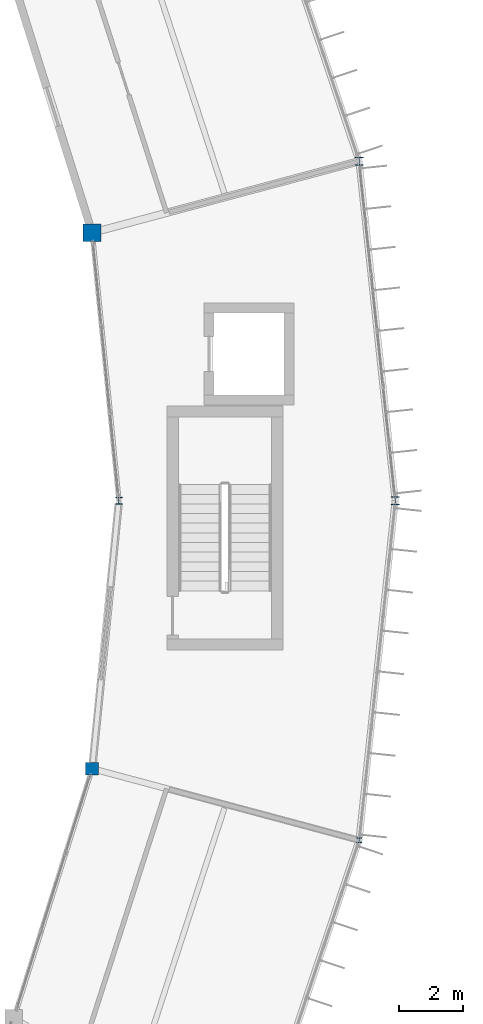
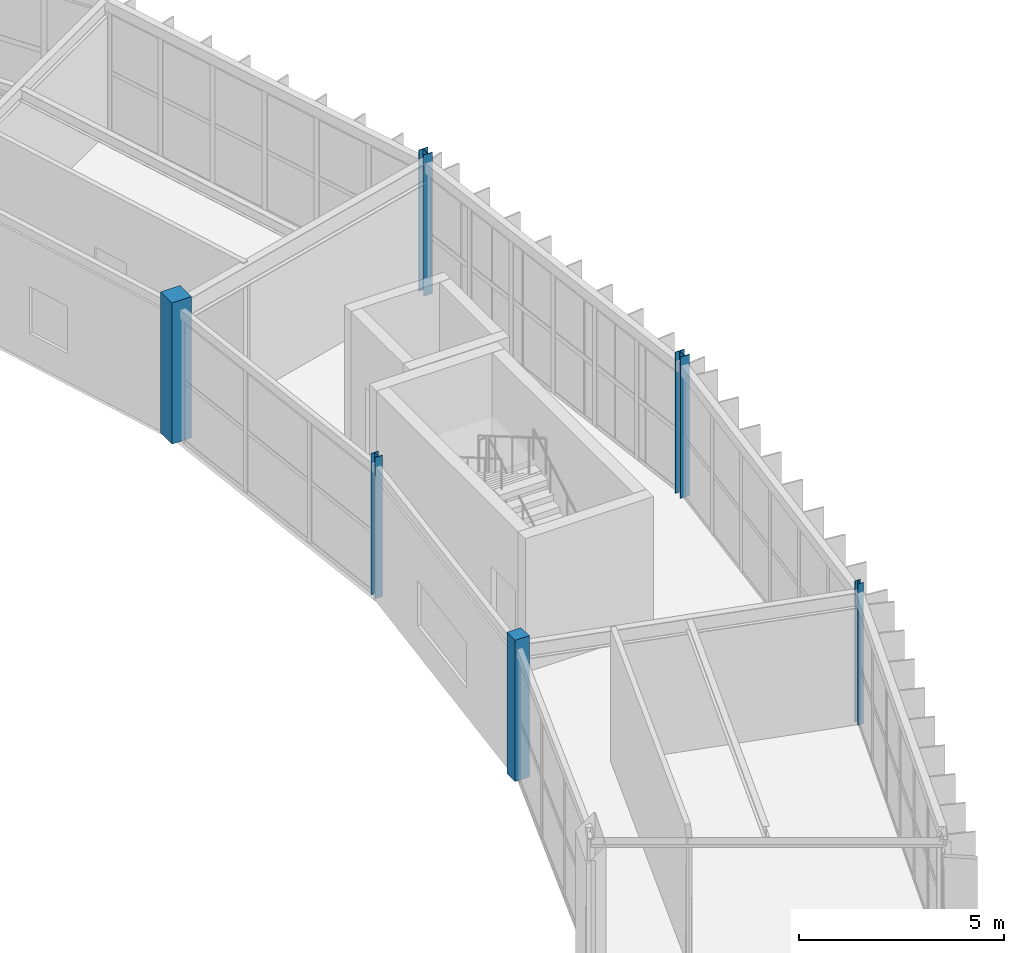
# One storey, part 9 of 134: 6 columns.
"""IFC4 building model written with IfcOpenShell, lengths in metres."""

from ifc_helpers import new_model, si_unit, direction, frame, origin, origin_2d, place, context, subcontext, project, spatial, rectangle, i_section, extrude, material, material_profile, profile_set, type_object, element, save


model = new_model("IFC4")

# Units and contexts
model_context = context("Model", 3, precision=1e-05, world=origin(), true_north=direction((0.0, 1.0)))
body_context = subcontext(model_context, "Body", "Model", "MODEL_VIEW")
ifc_project = project(units=[si_unit("LENGTHUNIT", "METRE"), si_unit("AREAUNIT", "SQUARE_METRE"), si_unit("VOLUMEUNIT", "CUBIC_METRE"), si_unit("PLANEANGLEUNIT", "RADIAN"), si_unit("MASSUNIT", "GRAM", prefix="KILO")], contexts=[model_context])

# Site, building, storey
site_placement = place(None, origin())
site = spatial("IfcSite", under=ifc_project, at=site_placement, CompositionType="ELEMENT")
building_placement = place(site_placement, origin())
building = spatial("IfcBuilding", under=site, at=building_placement, Name="Karori Crest Natural Sciences Institute", CompositionType="ELEMENT")
storey_placement = place(building_placement, frame((0.0, 0.0, 21.699951171875)))
storey = spatial("IfcBuildingStorey", under=building, at=storey_placement, Name="L05", CompositionType="ELEMENT", Elevation=21.699951171875)

# Columns
ifc_material_1 = material(Name="Structural steel AS/NZS 3679.1 Grade 350", Category="steel")
ifc_material_profile_1 = material_profile(ifc_material_1, i_section(OverallWidth=0.256103515625, OverallDepth=0.260009765625, WebThickness=0.010498046875, FlangeThickness=0.017333984375, FilletRadius=0.013916015625, at=origin_2d()), Name="250UC89.5")
ifc_profile_set_1 = profile_set([ifc_material_profile_1], Name="Structural steel AS/NZS 3679.1 Grade 350")
column_type_1 = type_object("IfcColumnType", Name="CT-06", PredefinedType="COLUMN", material=ifc_profile_set_1)
column_1_placement = place(storey_placement, frame((99.39990234375, 49.89990234375, 0.0), z_axis=(0.0, 0.0, 1.0), x_axis=(1.0, 0.0, 0.0)))
element("IfcColumn", 1, at=column_1_placement, inside=storey, type_object=column_type_1, Name="Column C-0013", PredefinedType="COLUMN", context=body_context, shape_type="SweptSolid", body=[
    extrude(i_section(OverallWidth=0.256103515625, OverallDepth=0.260009765625, WebThickness=0.010498046875, FlangeThickness=0.017333984375, FilletRadius=0.013916015625, at=origin_2d()), origin(), (0.0, 0.0, 1.0), 4.199951171875),
])
ifc_material_profile_2 = material_profile(ifc_material_1, i_section(OverallWidth=0.25390625, OverallDepth=0.25390625, WebThickness=0.008544921875, FlangeThickness=0.01416015625, FilletRadius=0.013916015625, at=origin_2d()), Name="250UC72.9")
ifc_profile_set_2 = profile_set([ifc_material_profile_2], Name="Structural steel AS/NZS 3679.1 Grade 350")
column_type_2 = type_object("IfcColumnType", Name="CT-07", PredefinedType="COLUMN", material=ifc_profile_set_2)
column_2_placement = place(storey_placement, frame((98.275634765625, 60.459716796875, 0.0), z_axis=(0.0, 0.0, 1.0), x_axis=(1.0, 0.0, 0.0)))
element("IfcColumn", 2, at=column_2_placement, inside=storey, type_object=column_type_2, Name="Column C-0031", PredefinedType="COLUMN", context=body_context, shape_type="SweptSolid", body=[
    extrude(i_section(OverallWidth=0.25390625, OverallDepth=0.25390625, WebThickness=0.008544921875, FlangeThickness=0.01416015625, FilletRadius=0.013916015625, at=origin_2d()), origin(), (0.0, 0.0, 1.0), 4.199951171875),
])
ifc_material_profile_3 = material_profile(ifc_material_1, i_section(OverallWidth=0.205078125, OverallDepth=0.2099609375, WebThickness=0.00927734375, FlangeThickness=0.01416015625, FilletRadius=0.010986328125, at=origin_2d()), Name="200UC59.5")
ifc_profile_set_3 = profile_set([ifc_material_profile_3], Name="Structural steel AS/NZS 3679.1 Grade 350")
column_type_3 = type_object("IfcColumnType", Name="CT-08", PredefinedType="COLUMN", material=ifc_profile_set_3)
column_3_placement = place(storey_placement, frame((90.800048828125, 49.89990234375, 0.0), z_axis=(0.0, 0.0, 1.0), x_axis=(1.0, 0.0, 0.0)))
element("IfcColumn", 3, at=column_3_placement, inside=storey, type_object=column_type_3, Name="Column C-0014", PredefinedType="COLUMN", context=body_context, shape_type="SweptSolid", body=[
    extrude(i_section(OverallWidth=0.205078125, OverallDepth=0.2099609375, WebThickness=0.00927734375, FlangeThickness=0.01416015625, FilletRadius=0.010986328125, at=origin_2d()), origin(), (0.0, 0.0, 1.0), 4.199951171875),
])
ifc_material_profile_4 = material_profile(ifc_material_1, i_section(OverallWidth=0.154052734375, OverallDepth=0.162109375, WebThickness=0.008056640625, FlangeThickness=0.011474609375, FilletRadius=0.009033203125, at=origin_2d()), Name="150UC37.2")
ifc_profile_set_4 = profile_set([ifc_material_profile_4], Name="Structural steel AS/NZS 3679.1 Grade 350")
column_type_4 = type_object("IfcColumnType", Name="CT-26", PredefinedType="COLUMN", material=ifc_profile_set_4)
column_4_placement = place(storey_placement, frame((98.275634765625, 39.340087890625, 0.0), z_axis=(0.0, 0.0, 1.0), x_axis=(1.0, 0.0, 0.0)))
element("IfcColumn", 4, at=column_4_placement, inside=storey, type_object=column_type_4, Name="Column C-0391", PredefinedType="COLUMN", context=body_context, shape_type="SweptSolid", body=[
    extrude(i_section(OverallWidth=0.154052734375, OverallDepth=0.162109375, WebThickness=0.008056640625, FlangeThickness=0.011474609375, FilletRadius=0.009033203125, at=origin_2d()), origin(), (0.0, 0.0, 1.0), 4.199951171875),
])
ifc_material_2 = material(Name="Concrete 50 MPa", Category="concrete")
ifc_material_profile_5 = material_profile(ifc_material_2, rectangle(XDim=0.550048828125, YDim=0.550048828125, at=origin_2d()), Name="RC550x550")
ifc_profile_set_5 = profile_set([ifc_material_profile_5], Name="Concrete 50 MPa")
column_type_5 = type_object("IfcColumnType", Name="CT-30", PredefinedType="COLUMN", material=ifc_profile_set_5)
column_5_placement = place(storey_placement, frame((89.968505859375, 58.23388671875, 0.0), z_axis=(0.0, 0.0, 1.0), x_axis=(1.0, 0.0, 0.0)))
element("IfcColumn", 5, at=column_5_placement, inside=storey, type_object=column_type_5, Name="Column C-0032", PredefinedType="COLUMN", context=body_context, shape_type="SweptSolid", body=[
    extrude(rectangle(XDim=0.550048828125, YDim=0.550048828125, at=origin_2d()), origin(), (0.0, 0.0, 1.0), 4.199951171875),
])
ifc_material_profile_6 = material_profile(ifc_material_2, rectangle(XDim=0.39990234375, YDim=0.39990234375, at=origin_2d()), Name="RC400x400")
ifc_profile_set_6 = profile_set([ifc_material_profile_6], Name="Concrete 50 MPa")
column_type_6 = type_object("IfcColumnType", Name="CT-31", PredefinedType="PILASTER", material=ifc_profile_set_6)
column_6_placement = place(storey_placement, frame((89.968505859375, 41.56591796875, 0.0), z_axis=(0.0, 0.0, 1.0), x_axis=(1.0, 0.0, 0.0)))
element("IfcColumn", 6, at=column_6_placement, inside=storey, type_object=column_type_6, Name="Column C-0392", PredefinedType="PILASTER", context=body_context, shape_type="SweptSolid", body=[
    extrude(rectangle(XDim=0.39990234375, YDim=0.39990234375, at=origin_2d()), origin(), (0.0, 0.0, 1.0), 4.199951171875),
])

save(model, "model.ifc")
